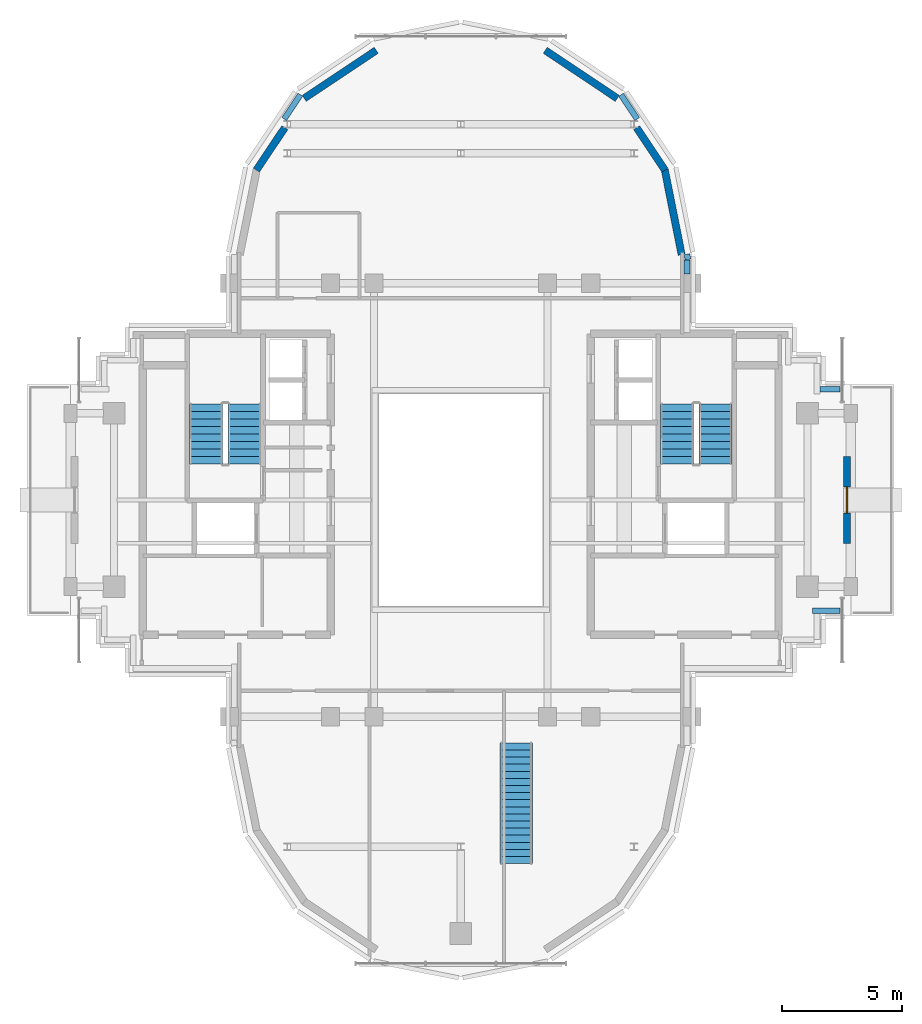
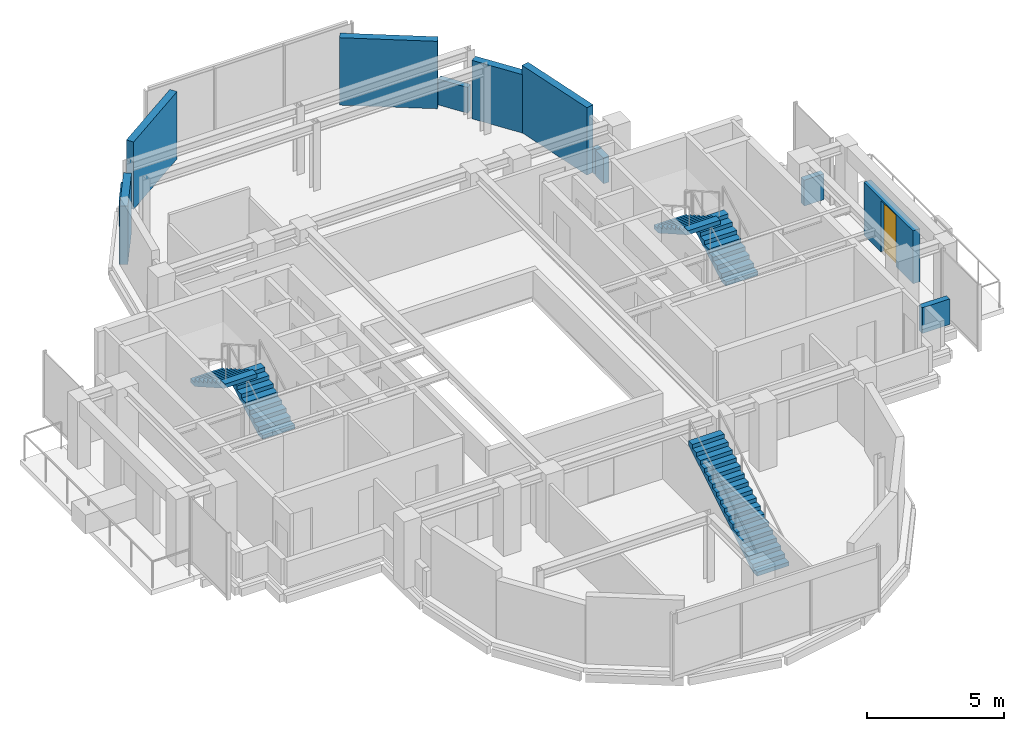
# One storey, part 9 of 12: 12 walls, 5 stair flights, 1 door, 1 opening, 3 elements without a shape of their own.
"""IFC4 building model written with IfcOpenShell, lengths in metres."""

from ifc_helpers import new_model, si_unit, direction, frame, frame_2d, origin, place, context, subcontext, project, spatial, polyline, rectangle, outline, extrude, source, transform, mapped, material, layer, layer_set, type_object, element, fill, aggregate, save


model = new_model("IFC4")

# Units and contexts
model_context = context("Model", 3, precision=1e-05, world=origin(), true_north=direction((0.0, 1.0)))
body_context = subcontext(model_context, "Body", "Model", "MODEL_VIEW")
ifc_project = project(units=[si_unit("LENGTHUNIT", "METRE"), si_unit("AREAUNIT", "SQUARE_METRE"), si_unit("VOLUMEUNIT", "CUBIC_METRE"), si_unit("PLANEANGLEUNIT", "RADIAN"), si_unit("MASSUNIT", "GRAM", prefix="KILO")], contexts=[model_context])

# Site, building, storey
site_placement = place(None, origin())
site = spatial("IfcSite", under=ifc_project, at=site_placement, CompositionType="ELEMENT")
building_placement = place(site_placement, origin())
building = spatial("IfcBuilding", under=site, at=building_placement, Name="Keilestroom Media Tower", CompositionType="ELEMENT")
storey_placement = place(building_placement, frame((0.0, 0.0, 252.39990234375)))
storey = spatial("IfcBuildingStorey", under=building, at=storey_placement, Name="L70", CompositionType="ELEMENT", Elevation=252.39990234375)

# Walls
ifc_material_1 = material(Name="Precast concrete C40/50", Category="concrete")
ifc_layer_1 = layer(ifc_material_1, 0.300048828125)
ifc_layer_set_1 = layer_set([ifc_layer_1], Name="Precast concrete C40/50")
wall_type_1 = type_object("IfcWallType", Name="Exterior-Masonry-Spandrel-Wall-300", PredefinedType="SOLIDWALL", material=ifc_layer_set_1)
wall_1_placement = place(storey_placement, frame((9.1748046875, 10.185302734375, 0.0), z_axis=(0.0, 0.0, 1.0), x_axis=(-0.195114232679, 0.980780523974, 0.0)))
element("IfcWall", 1, at=wall_1_placement, inside=storey, type_object=wall_type_1, Name="L70 Lobe Facet Precast Frame Wall 01", PredefinedType="SOLIDWALL", context=body_context, shape_type="SweptSolid", body=[
    extrude(rectangle(XDim=3.608642578125, YDim=0.300048828125, at=frame_2d((1.80419921875, 0.0))), origin(), (0.0, 0.0, 1.0), 3.010009765625),
])
wall_2_placement = place(storey_placement, frame((8.48193359375, 13.697509765625, 0.0), z_axis=(0.0, 0.0, 1.0), x_axis=(-0.555604299396, 0.831446848868, 0.0)))
element("IfcWall", 2, at=wall_2_placement, inside=storey, type_object=wall_type_1, Name="L70 Lobe Facet Precast Frame Wall 02", PredefinedType="SOLIDWALL", context=body_context, shape_type="SweptSolid", body=[
    extrude(rectangle(XDim=2.117919921875, YDim=0.300048828125, at=frame_2d((1.05908203125, 0.0))), origin(), (0.0, 0.0, 1.0), 2.610107421875),
])
for number, where, z_axis, x_axis, name in (
    (3, (6.497802734375, 16.677001953125, 0.0), (0.0, 0.0, 1.0), (-0.831443568068, 0.555609208993, 0.0), "L70 Lobe Facet Precast Frame Wall 03"),
    (4, (-3.510009765625, 18.673583984375, 0.0), (0.0, 0.0, 1.0), (-0.831443568068, -0.555609208993, 0.0), "L70 Lobe Facet Precast Frame Wall 04"),
):
    element("IfcWall", number, at=place(storey_placement, frame(where, z_axis=z_axis, x_axis=x_axis)), inside=storey, type_object=wall_type_1, Name=name, PredefinedType="SOLIDWALL", context=body_context, shape_type="SweptSolid", body=[
        extrude(rectangle(XDim=3.593505859375, YDim=0.300048828125, at=frame_2d((1.796875, 0.0))), origin(), (0.0, 0.0, 1.0), 3.010009765625),
    ])
wall_3_placement = place(storey_placement, frame((-7.30517578125, 15.45849609375, 0.0), z_axis=(0.0, 0.0, 1.0), x_axis=(-0.555604299396, -0.831446848868, 0.0)))
element("IfcWall", 5, at=wall_3_placement, inside=storey, type_object=wall_type_1, Name="L70 Lobe Facet Precast Frame Wall 05", PredefinedType="SOLIDWALL", context=body_context, shape_type="SweptSolid", body=[
    extrude(rectangle(XDim=2.117919921875, YDim=0.300048828125, at=frame_2d((1.05908203125, 0.0))), origin(), (0.0, 0.0, 1.0), 2.610107421875),
])

# Wall, opening, door
wall_4_placement = place(storey_placement, frame((16.0400390625, -1.800048828125, 0.0), z_axis=(0.0, 0.0, 1.0), x_axis=(0.0, 1.0, 0.0)))
wall_4 = element("IfcWall", 6, at=wall_4_placement, inside=storey, type_object=wall_type_1, Name="L70 Terrace Threshold Wall CUP70-E", PredefinedType="SOLIDWALL", context=body_context, shape_type="SweptSolid", body=[
    extrude(rectangle(XDim=3.60009765625, YDim=0.300048828125, at=frame_2d((1.800048828125, 0.0))), origin(), (0.0, 0.0, 1.0), 2.360107421875),
])
opening_placement = place(wall_4_placement, frame((1.25, 0.0, 0.0)))
opening = element("IfcOpeningElement", 7, at=opening_placement, cuts=wall_4, Name="Opening DE-02", PredefinedType="OPENING", context=body_context, shape_type="SweptSolid", body=[
    extrude(rectangle(XDim=1.10009765625, YDim=2.300048828125, at=frame_2d((0.550048828125, 1.14990234375))), frame((0.0, 0.16015625, 0.0), z_axis=(0.0, -1.0, 0.0), x_axis=(1.0, 0.0, 0.0)), (0.0, 0.0, 1.0), 0.320068359375),
])
ifc_material_2 = material(Name="Thermally Broken Aluminium & Laminated Glass", Category="aluminium")
door_type = type_object("IfcDoorType", Name="Exterior-Entrance-And-Terrace-Door-DE-02", OperationType="NOTDEFINED", PredefinedType="DOOR", material=ifc_material_2)
shared_shape = source(origin(), body_context, "Body", "SweptSolid", [
    extrude(rectangle(XDim=1.10009765625, YDim=2.300048828125, at=frame_2d((0.550048828125, 1.14990234375))), frame((0.0, 0.02490234375, 0.0), z_axis=(0.0, -1.0, 0.0), x_axis=(1.0, 0.0, 0.0)), (0.0, 0.0, 1.0), 0.050048828125),
])
door_placement = place(opening_placement, frame((1.10009765625, 0.0, 0.0), z_axis=(0.0, 0.0, 1.0), x_axis=(-1.0, 0.0, 0.0)))
door = element("IfcDoor", 8, at=door_placement, inside=storey, type_object=door_type, Name="L70 Terrace Access Door DE-02 CUP70-E", OperationType="SINGLE_SWING_RIGHT", OverallHeight=2.300048828125, OverallWidth=1.10009765625, PredefinedType="DOOR", context=body_context, shape_type="MappedRepresentation", body=[
    mapped(shared_shape, transform((0.0, 0.0, 0.0), x_axis=(1.0, 0.0, 0.0), y_axis=(0.0, 1.0, 0.0), z_axis=(0.0, 0.0, 1.0), scale=1.0)),
])
fill(opening, door)

# Walls
ifc_layer_2 = layer(ifc_material_1, 0.239990234375)
ifc_layer_set_2 = layer_set([ifc_layer_2], Name="Precast concrete C40/50")
wall_type_2 = type_object("IfcWallType", Name="Roof-And-Terrace-Parapet-Wall-240", PredefinedType="PARAPET", material=ifc_layer_set_2)
wall_5_placement = place(storey_placement, frame((15.757080078125, -4.60009765625, 0.0), z_axis=(0.0, 0.0, 1.0), x_axis=(-1.0, 0.0, 0.0)))
element("IfcWall", 9, at=wall_5_placement, inside=storey, type_object=wall_type_2, Name="L70 Perimeter Edge Parapet Wall 01", PredefinedType="PARAPET", context=body_context, shape_type="SweptSolid", body=[
    extrude(rectangle(XDim=1.156982421875, YDim=0.239990234375, at=frame_2d((0.57861328125, 0.0))), origin(), (0.0, 0.0, 1.0), 1.150146484375),
])
for number, where, z_axis, x_axis, name in (
    (10, (-7.328125, 15.8203125, 0.0), (0.0, 0.0, 1.0), (0.555585388542, 0.831459485506, 0.0), "L70 Perimeter Edge Parapet Wall 22"),
    (11, (6.656494140625, 16.825439453125, 0.0), (0.0, 0.0, 1.0), (0.555585388542, -0.831459485506, 0.0), "L70 Perimeter Edge Parapet Wall 23"),
):
    element("IfcWall", number, at=place(storey_placement, frame(where, z_axis=z_axis, x_axis=x_axis)), inside=storey, type_object=wall_type_2, Name=name, PredefinedType="PARAPET", context=body_context, shape_type="SweptSolid", body=[
        extrude(rectangle(XDim=1.208984375, YDim=0.239990234375, at=frame_2d((0.6044921875, 0.0))), origin(), (0.0, 0.0, 1.0), 1.150146484375),
    ])
wall_6_placement = place(storey_placement, frame((9.395263671875, 10.2041015625, 0.0), z_axis=(0.0, 0.0, 1.0), x_axis=(0.194859894132, -0.980831087221, 0.0)))
element("IfcWall", 12, at=wall_6_placement, inside=storey, type_object=wall_type_2, Name="L70 Perimeter Edge Parapet Wall 24", PredefinedType="PARAPET", context=body_context, shape_type="SweptSolid", body=[
    extrude(rectangle(XDim=0.224365234375, YDim=0.239990234375, at=frame_2d((0.1123046875, 0.0))), origin(), (0.0, 0.0, 1.0), 1.150146484375),
])
wall_7_placement = place(storey_placement, frame((9.39990234375, 9.957763671875, 0.0), z_axis=(0.0, 0.0, 1.0), x_axis=(0.0, -1.0, 0.0)))
element("IfcWall", 13, at=wall_7_placement, inside=storey, type_object=wall_type_2, Name="L70 Perimeter Edge Parapet Wall 25", PredefinedType="PARAPET", context=body_context, shape_type="SweptSolid", body=[
    extrude(rectangle(XDim=0.579833984375, YDim=0.239990234375, at=frame_2d((0.2900390625, 0.0))), origin(), (0.0, 0.0, 1.0), 1.150146484375),
])
wall_8_placement = place(storey_placement, frame((14.923095703125, 4.60009765625, 0.0), z_axis=(0.0, 0.0, 1.0), x_axis=(1.0, 0.0, 0.0)))
element("IfcWall", 14, at=wall_8_placement, inside=storey, type_object=wall_type_2, Name="L70 Perimeter Edge Parapet Wall 30", PredefinedType="PARAPET", context=body_context, shape_type="SweptSolid", body=[
    extrude(rectangle(XDim=0.833984375, YDim=0.239990234375, at=frame_2d((0.4169921875, 0.0))), origin(), (0.0, 0.0, 1.0), 1.150146484375),
])

# Stair, stair flights
ifc_material_3 = material(Name="Concrete C45/55", Category="concrete")
stair_type_1 = type_object("IfcStairType", Name="Enclosed-Dog-Leg-Stair-ST-CORE", PredefinedType="HALF_TURN_STAIR", material=ifc_material_3)
stair_1_placement = place(storey_placement, origin())
stair_1 = element("IfcStair", 15, at=stair_1_placement, inside=storey, type_object=stair_type_1, Name="L70 West Core Escape Stair ST-1", PredefinedType="HALF_TURN_STAIR")
stair_flight_type_1 = type_object("IfcStairFlightType", Name="Precast-Concrete-Stair-Flight-Core-160", PredefinedType="STRAIGHT", material=ifc_material_1)
stair_flight_1_placement = place(storey_placement, frame((-8.97998046875, 1.5, 0.0), z_axis=(0.0, 0.0, 1.0), x_axis=(0.0, 1.0, 0.0)))
stair_flight_1 = element("IfcStairFlight", 16, at=stair_flight_1_placement, type_object=stair_flight_type_1, Name="ST-1 flight 1", NumberOfRisers=9, NumberOfTreads=8, PredefinedType="STRAIGHT", RiserHeight=0.177777778, TreadLength=0.312, context=body_context, shape_type="SweptSolid", body=[
    extrude(outline(polyline([(0.0, 0.0), (0.0, 0.177734375), (0.31201171875, 0.177734375), (0.31201171875, 0.35546875), (0.6240234375, 0.35546875), (0.6240234375, 0.533447265625), (0.93603515625, 0.533447265625), (0.93603515625, 0.711181640625), (1.248046875, 0.711181640625), (1.248046875, 0.888916015625), (1.56005859375, 0.888916015625), (1.56005859375, 1.066650390625), (1.8720703125, 1.066650390625), (1.8720703125, 1.244384765625), (2.18408203125, 1.244384765625), (2.18408203125, 1.422119140625), (2.49609375, 1.422119140625), (2.49609375, 1.60009765625), (2.49609375, 1.23828125), (0.322998046875, 0.0), (0.0, 0.0)])), frame((0.0, 0.68017578125, 0.0), z_axis=(0.0, -1.0, 0.0), x_axis=(1.0, 0.0, 0.0)), (0.0, 0.0, 1.0), 1.360107421875),
])
stair_flight_2_placement = place(storey_placement, frame((-10.580078125, 3.99609375, 1.60009765625), z_axis=(0.0, 0.0, 1.0), x_axis=(0.0, -1.0, 0.0)))
stair_flight_2 = element("IfcStairFlight", 17, at=stair_flight_2_placement, type_object=stair_flight_type_1, Name="ST-1 flight 2", NumberOfRisers=9, NumberOfTreads=8, PredefinedType="STRAIGHT", RiserHeight=0.177777778, TreadLength=0.312, context=body_context, shape_type="SweptSolid", body=[
    extrude(outline(polyline([(0.0, 0.0), (0.0, 0.177734375), (0.31201171875, 0.177734375), (0.31201171875, 0.35546875), (0.6240234375, 0.35546875), (0.6240234375, 0.533447265625), (0.93603515625, 0.533447265625), (0.93603515625, 0.711181640625), (1.248046875, 0.711181640625), (1.248046875, 0.888916015625), (1.56005859375, 0.888916015625), (1.56005859375, 1.066650390625), (1.8720703125, 1.066650390625), (1.8720703125, 1.244384765625), (2.18408203125, 1.244384765625), (2.18408203125, 1.422119140625), (2.49609375, 1.422119140625), (2.49609375, 1.60009765625), (2.49609375, 1.23828125), (0.322998046875, 0.0), (0.0, 0.0)])), frame((0.0, 0.68017578125, 0.0), z_axis=(0.0, -1.0, 0.0), x_axis=(1.0, 0.0, 0.0)), (0.0, 0.0, 1.0), 1.360107421875),
])
aggregate(stair_1, [stair_flight_1, stair_flight_2])

stair_2_placement = place(storey_placement, origin())
stair_2 = element("IfcStair", 18, at=stair_2_placement, inside=storey, type_object=stair_type_1, Name="L70 East Core Escape Stair ST-2", PredefinedType="HALF_TURN_STAIR")
stair_flight_3_placement = place(storey_placement, frame((10.580078125, 1.5, 0.0), z_axis=(0.0, 0.0, 1.0), x_axis=(0.0, 1.0, 0.0)))
stair_flight_3 = element("IfcStairFlight", 19, at=stair_flight_3_placement, type_object=stair_flight_type_1, Name="ST-2 flight 1", NumberOfRisers=9, NumberOfTreads=8, PredefinedType="STRAIGHT", RiserHeight=0.177777778, TreadLength=0.312, context=body_context, shape_type="SweptSolid", body=[
    extrude(outline(polyline([(0.0, 0.0), (0.0, 0.177734375), (0.31201171875, 0.177734375), (0.31201171875, 0.35546875), (0.6240234375, 0.35546875), (0.6240234375, 0.533447265625), (0.93603515625, 0.533447265625), (0.93603515625, 0.711181640625), (1.248046875, 0.711181640625), (1.248046875, 0.888916015625), (1.56005859375, 0.888916015625), (1.56005859375, 1.066650390625), (1.8720703125, 1.066650390625), (1.8720703125, 1.244384765625), (2.18408203125, 1.244384765625), (2.18408203125, 1.422119140625), (2.49609375, 1.422119140625), (2.49609375, 1.60009765625), (2.49609375, 1.23828125), (0.322998046875, 0.0), (0.0, 0.0)])), frame((0.0, 0.68017578125, 0.0), z_axis=(0.0, -1.0, 0.0), x_axis=(1.0, 0.0, 0.0)), (0.0, 0.0, 1.0), 1.360107421875),
])
stair_flight_4_placement = place(storey_placement, frame((8.97998046875, 3.99609375, 1.60009765625), z_axis=(0.0, 0.0, 1.0), x_axis=(0.0, -1.0, 0.0)))
stair_flight_4 = element("IfcStairFlight", 20, at=stair_flight_4_placement, type_object=stair_flight_type_1, Name="ST-2 flight 2", NumberOfRisers=9, NumberOfTreads=8, PredefinedType="STRAIGHT", RiserHeight=0.177777778, TreadLength=0.312, context=body_context, shape_type="SweptSolid", body=[
    extrude(outline(polyline([(0.0, 0.0), (0.0, 0.177734375), (0.31201171875, 0.177734375), (0.31201171875, 0.35546875), (0.6240234375, 0.35546875), (0.6240234375, 0.533447265625), (0.93603515625, 0.533447265625), (0.93603515625, 0.711181640625), (1.248046875, 0.711181640625), (1.248046875, 0.888916015625), (1.56005859375, 0.888916015625), (1.56005859375, 1.066650390625), (1.8720703125, 1.066650390625), (1.8720703125, 1.244384765625), (2.18408203125, 1.244384765625), (2.18408203125, 1.422119140625), (2.49609375, 1.422119140625), (2.49609375, 1.60009765625), (2.49609375, 1.23828125), (0.322998046875, 0.0), (0.0, 0.0)])), frame((0.0, 0.68017578125, 0.0), z_axis=(0.0, -1.0, 0.0), x_axis=(1.0, 0.0, 0.0)), (0.0, 0.0, 1.0), 1.360107421875),
])
aggregate(stair_2, [stair_flight_3, stair_flight_4])

# Stair, stair flight
ifc_material_4 = material(Name="Steel S355", Category="steel")
stair_type_2 = type_object("IfcStairType", Name="Inter-Floor-Feature-Stair-ST-FEAT", PredefinedType="STRAIGHT_RUN_STAIR", material=ifc_material_4)
stair_3_placement = place(storey_placement, origin())
stair_3 = element("IfcStair", 21, at=stair_3_placement, inside=storey, type_object=stair_type_2, Name="L70-L71 Atrium Feature Stair ST-F4", PredefinedType="STRAIGHT_RUN_STAIR")
stair_flight_type_2 = type_object("IfcStairFlightType", Name="Steel-Feature-Stair-Flight-160", PredefinedType="STRAIGHT", material=ifc_material_4)
stair_flight_5_placement = place(storey_placement, frame((2.300048828125, -15.10009765625, 0.0), z_axis=(0.0, 0.0, 1.0), x_axis=(0.0, 1.0, 0.0)))
stair_flight_5 = element("IfcStairFlight", 22, at=stair_flight_5_placement, type_object=stair_flight_type_2, Name="ST-F4 Straight Feature Flight", NumberOfRisers=18, NumberOfTreads=17, PredefinedType="STRAIGHT", RiserHeight=0.177778, TreadLength=0.295, context=body_context, shape_type="SweptSolid", body=[
    extrude(outline(polyline([(0.0, 0.0), (0.0, 0.177734375), (0.294921875, 0.177734375), (0.294921875, 0.35546875), (0.590087890625, 0.35546875), (0.590087890625, 0.533447265625), (0.885009765625, 0.533447265625), (0.885009765625, 0.711181640625), (1.179931640625, 0.711181640625), (1.179931640625, 0.888916015625), (1.47509765625, 0.888916015625), (1.47509765625, 1.066650390625), (1.77001953125, 1.066650390625), (1.77001953125, 1.244384765625), (2.06494140625, 1.244384765625), (2.06494140625, 1.422119140625), (2.360107421875, 1.422119140625), (2.360107421875, 1.60009765625), (2.655029296875, 1.60009765625), (2.655029296875, 1.77783203125), (2.949951171875, 1.77783203125), (2.949951171875, 1.95556640625), (3.2451171875, 1.95556640625), (3.2451171875, 2.13330078125), (3.5400390625, 2.13330078125), (3.5400390625, 2.31103515625), (3.8349609375, 2.31103515625), (3.8349609375, 2.489013671875), (4.1298828125, 2.489013671875), (4.1298828125, 2.666748046875), (4.425048828125, 2.666748046875), (4.425048828125, 2.844482421875), (4.719970703125, 2.844482421875), (4.719970703125, 3.022216796875), (5.014892578125, 3.022216796875), (5.014892578125, 3.199951171875), (5.014892578125, 2.83544921875), (0.309814453125, 0.0), (0.0, 0.0)])), frame((0.0, 0.675048828125, 0.0), z_axis=(0.0, -1.0, 0.0), x_axis=(1.0, 0.0, 0.0)), (0.0, 0.0, 1.0), 1.35009765625),
])
aggregate(stair_3, [stair_flight_5])

save(model, "model.ifc")
